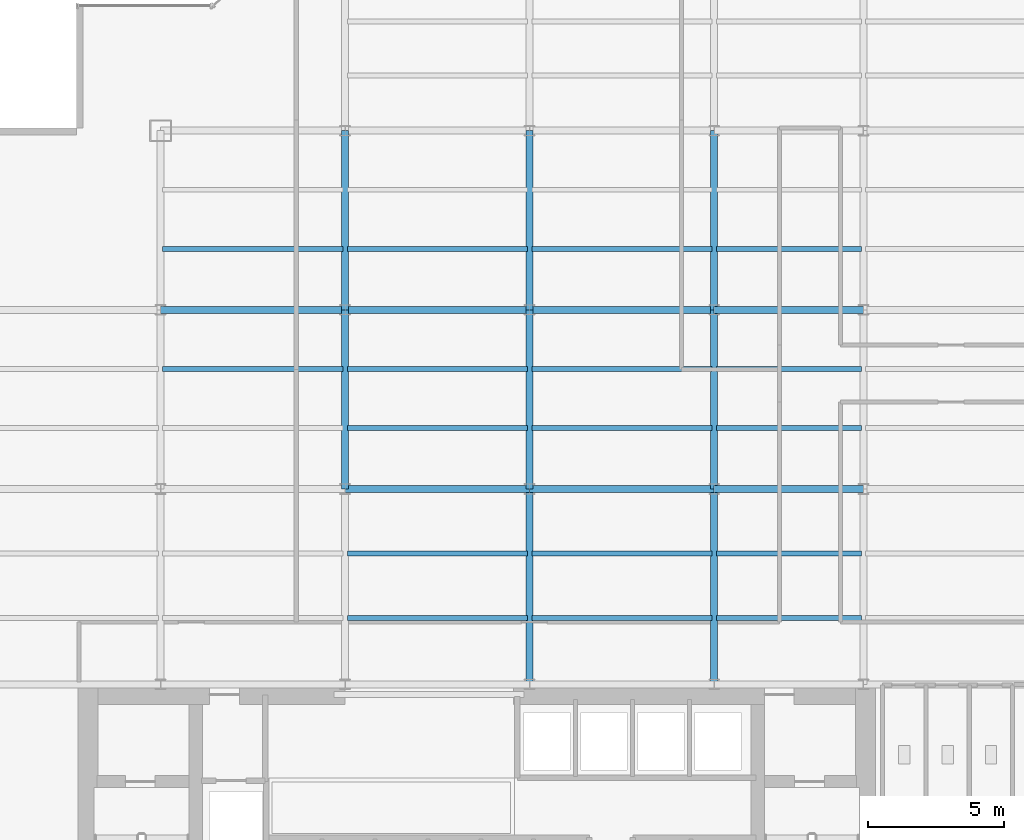
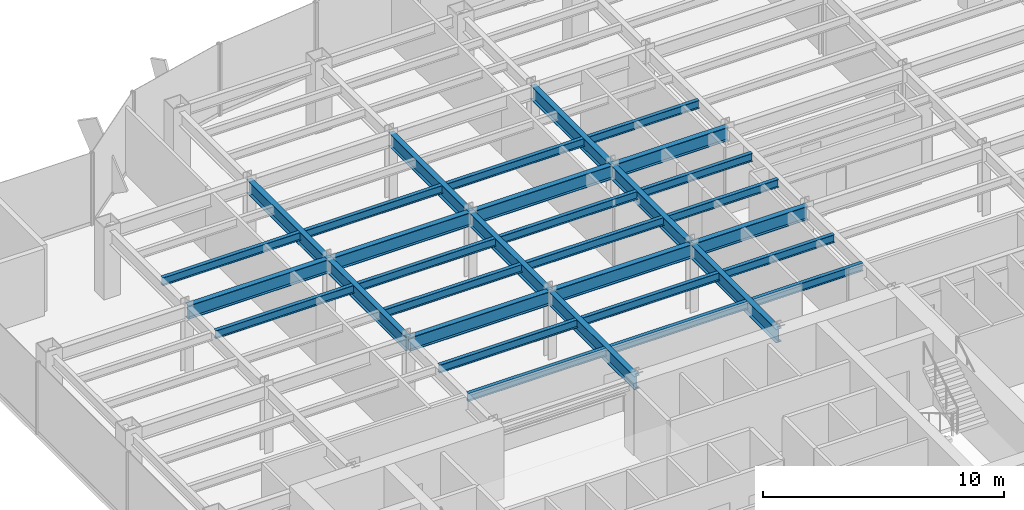
# One storey, part 7 of 26: 32 beams.
"""IFC4 building model written with IfcOpenShell, lengths in metres."""

from ifc_helpers import new_model, si_unit, derived_unit, direction, frame, origin, origin_2d, place, context, subcontext, project, spatial, i_section, extrude, source, transform, mapped, material, material_profile, profile_set, type_object, element, save


model = new_model("IFC4")

# Units and contexts
model_context = context("Model", 3, precision=1e-05, world=origin(), true_north=direction((0.0, 1.0)))
body_context = subcontext(model_context, "Body", "Model", "MODEL_VIEW")
ifc_project = project(units=[si_unit("LENGTHUNIT", "METRE"), si_unit("AREAUNIT", "SQUARE_METRE"), si_unit("VOLUMEUNIT", "CUBIC_METRE"), si_unit("PLANEANGLEUNIT", "RADIAN"), si_unit("MASSUNIT", "GRAM", prefix="KILO"), derived_unit("THERMALTRANSMITTANCEUNIT", [(si_unit("POWERUNIT", "WATT"), 1), (si_unit("LENGTHUNIT", "METRE"), -2), (si_unit("THERMODYNAMICTEMPERATUREUNIT", "KELVIN"), -1)])], contexts=[model_context])

# Site, building, storey
site_placement = place(None, origin())
site = spatial("IfcSite", under=ifc_project, at=site_placement, CompositionType="ELEMENT")
building_placement = place(site_placement, origin())
building = spatial("IfcBuilding", under=site, at=building_placement, Name="Skarnbrae Concourse Arena and Tower", CompositionType="ELEMENT")
storey_placement = place(building_placement, frame((0.0, 0.0, 117.85009765625)))
storey = spatial("IfcBuildingStorey", under=building, at=storey_placement, Name="L29", CompositionType="ELEMENT", Elevation=117.85009765625)

# Beams
ifc_material = material(Name="Steel CSA G40.21 350W", Category="steel")
ifc_material_profile_1 = material_profile(ifc_material, i_section(OverallWidth=0.256103515625, OverallDepth=0.693115234375, WebThickness=0.014404296875, FlangeThickness=0.023681640625, at=origin_2d()), Name="W690X170")
ifc_profile_set_1 = profile_set([ifc_material_profile_1], Name="Steel CSA G40.21 350W")
beam_type_1 = type_object("IfcBeamType", Name="BM-GIRD-W690X170", PredefinedType="BEAM", material=ifc_profile_set_1)
shared_shape_1 = source(origin(), body_context, "Body", "SweptSolid", [
    extrude(i_section(OverallWidth=0.256103515625, OverallDepth=0.693115234375, WebThickness=0.014404296875, FlangeThickness=0.023681640625, at=origin_2d()), origin(), (0.0, 0.0, 1.0), 6.60009765625),
])
for number, where, z_axis, x_axis, name in (
    (1, (14.39990234375, 21.199951171875, 3.053466796875), (0.0, 1.0, 0.0), (-1.0, 0.0, 0.0), "L29 Primary N-S girder X14.4-2"),
    (2, (21.199951171875, 21.199951171875, 3.053466796875), (0.0, 1.0, 0.0), (-1.0, 0.0, 0.0), "L29 Primary N-S girder X21.2-2"),
    (3, (28.0, 21.199951171875, 3.053466796875), (0.0, 1.0, 0.0), (-1.0, 0.0, 0.0), "L29 Primary N-S girder X28.0-2"),
):
    element("IfcBeam", number, at=place(storey_placement, frame(where, z_axis=z_axis, x_axis=x_axis)), inside=storey, type_object=beam_type_1, Name=name, PredefinedType="BEAM", context=body_context, shape_type="MappedRepresentation", body=[
        mapped(shared_shape_1, transform((0.0, 0.0, 0.0))),
    ])
shared_shape_2 = source(origin(), body_context, "Body", "SweptSolid", [
    extrude(i_section(OverallWidth=0.256103515625, OverallDepth=0.693115234375, WebThickness=0.014404296875, FlangeThickness=0.023681640625, at=origin_2d()), origin(), (0.0, 0.0, 1.0), 6.7998046875),
])
beam_placement = place(storey_placement, frame((7.60009765625, 27.800048828125, 3.053466796875), z_axis=(1.0, 0.0, 0.0), x_axis=(0.0, 1.0, 0.0)))
element("IfcBeam", 4, at=beam_placement, inside=storey, type_object=beam_type_1, Name="L29 Primary E-W girder Y27.8-2", PredefinedType="BEAM", context=body_context, shape_type="MappedRepresentation", body=[
    mapped(shared_shape_2, transform((0.0, 0.0, 0.0))),
])
shared_shape_3 = source(origin(), body_context, "Body", "SweptSolid", [
    extrude(i_section(OverallWidth=0.256103515625, OverallDepth=0.693115234375, WebThickness=0.014404296875, FlangeThickness=0.023681640625, at=origin_2d()), origin(), (0.0, 0.0, 1.0), 6.800048828125),
])
for number, where, z_axis, x_axis, name in (
    (5, (14.39990234375, 21.199951171875, 3.053466796875), (1.0, 0.0, 0.0), (0.0, 1.0, 0.0), "L29 Primary E-W girder Y21.2-3"),
    (6, (21.199951171875, 21.199951171875, 3.053466796875), (1.0, 0.0, 0.0), (0.0, 1.0, 0.0), "L29 Primary E-W girder Y21.2-4"),
    (7, (14.39990234375, 27.800048828125, 3.053466796875), (1.0, 0.0, 0.0), (0.0, 1.0, 0.0), "L29 Primary E-W girder Y27.8-3"),
    (8, (21.199951171875, 27.800048828125, 3.053466796875), (1.0, 0.0, 0.0), (0.0, 1.0, 0.0), "L29 Primary E-W girder Y27.8-4"),
):
    element("IfcBeam", number, at=place(storey_placement, frame(where, z_axis=z_axis, x_axis=x_axis)), inside=storey, type_object=beam_type_1, Name=name, PredefinedType="BEAM", context=body_context, shape_type="MappedRepresentation", body=[
        mapped(shared_shape_3, transform((0.0, 0.0, 0.0))),
    ])
shared_shape_4 = source(origin(), body_context, "Body", "SweptSolid", [
    extrude(i_section(OverallWidth=0.256103515625, OverallDepth=0.693115234375, WebThickness=0.014404296875, FlangeThickness=0.023681640625, at=origin_2d()), origin(), (0.0, 0.0, 1.0), 5.5),
])
for number, where, z_axis, x_axis, name in (
    (9, (28.0, 21.199951171875, 3.053466796875), (1.0, 0.0, 0.0), (0.0, 1.0, 0.0), "L29 Primary E-W girder Y21.2-5"),
    (10, (28.0, 27.800048828125, 3.053466796875), (1.0, 0.0, 0.0), (0.0, 1.0, 0.0), "L29 Primary E-W girder Y27.8-5"),
):
    element("IfcBeam", number, at=place(storey_placement, frame(where, z_axis=z_axis, x_axis=x_axis)), inside=storey, type_object=beam_type_1, Name=name, PredefinedType="BEAM", context=body_context, shape_type="MappedRepresentation", body=[
        mapped(shared_shape_4, transform((0.0, 0.0, 0.0))),
    ])
shared_shape_5 = source(origin(), body_context, "Body", "SweptSolid", [
    extrude(i_section(OverallWidth=0.256103515625, OverallDepth=0.693115234375, WebThickness=0.014404296875, FlangeThickness=0.023681640625, at=origin_2d()), origin(), (0.0, 0.0, 1.0), 7.199951171875),
])
for number, where, z_axis, x_axis, name in (
    (11, (21.199951171875, 14.0, 3.053466796875), (0.0, 1.0, 0.0), (-1.0, 0.0, 0.0), "L29 Primary N-S girder X21.2-1"),
    (12, (28.0, 14.0, 3.053466796875), (0.0, 1.0, 0.0), (-1.0, 0.0, 0.0), "L29 Primary N-S girder X28.0-1"),
):
    element("IfcBeam", number, at=place(storey_placement, frame(where, z_axis=z_axis, x_axis=x_axis)), inside=storey, type_object=beam_type_1, Name=name, PredefinedType="BEAM", context=body_context, shape_type="MappedRepresentation", body=[
        mapped(shared_shape_5, transform((0.0, 0.0, 0.0))),
    ])
shared_shape_6 = source(origin(), body_context, "Body", "SweptSolid", [
    extrude(i_section(OverallWidth=0.256103515625, OverallDepth=0.693115234375, WebThickness=0.014404296875, FlangeThickness=0.023681640625, at=origin_2d()), origin(), (0.0, 0.0, 1.0), 6.599853515625),
])
for number, where, z_axis, x_axis, name in (
    (13, (14.39990234375, 27.800048828125, 3.053466796875), (0.0, 1.0, 0.0), (-1.0, 0.0, 0.0), "L29 Primary N-S girder X14.4-3"),
    (14, (21.199951171875, 27.800048828125, 3.053466796875), (0.0, 1.0, 0.0), (-1.0, 0.0, 0.0), "L29 Primary N-S girder X21.2-3"),
    (15, (28.0, 27.800048828125, 3.053466796875), (0.0, 1.0, 0.0), (-1.0, 0.0, 0.0), "L29 Primary N-S girder X28.0-3"),
):
    element("IfcBeam", number, at=place(storey_placement, frame(where, z_axis=z_axis, x_axis=x_axis)), inside=storey, type_object=beam_type_1, Name=name, PredefinedType="BEAM", context=body_context, shape_type="MappedRepresentation", body=[
        mapped(shared_shape_6, transform((0.0, 0.0, 0.0))),
    ])
ifc_material_profile_2 = material_profile(ifc_material, i_section(OverallWidth=0.177978515625, OverallDepth=0.406982421875, WebThickness=0.0078125, FlangeThickness=0.0126953125, at=origin_2d()), Name="W410X60")
ifc_profile_set_2 = profile_set([ifc_material_profile_2], Name="Steel CSA G40.21 350W")
beam_type_2 = type_object("IfcBeamType", Name="BM-JOIST-W410X60", PredefinedType="JOIST", material=ifc_profile_set_2)
shared_shape_7 = source(origin(), body_context, "Body", "SweptSolid", [
    extrude(i_section(OverallWidth=0.177978515625, OverallDepth=0.406982421875, WebThickness=0.0078125, FlangeThickness=0.0126953125, at=origin_2d()), origin(), (0.0, 0.0, 1.0), 6.64013671875),
])
for number, where, z_axis, x_axis, name in (
    (16, (14.47998046875, 16.447998046875, 3.1962890625), (1.0, 0.0, 0.0), (0.0, 1.0, 0.0), "L29 Secondary floor joist 1.1.3"),
    (17, (14.47998046875, 18.823974609375, 3.1962890625), (1.0, 0.0, 0.0), (0.0, 1.0, 0.0), "L29 Secondary floor joist 1.2.3"),
    (18, (14.47998046875, 23.444091796875, 3.1962890625), (1.0, 0.0, 0.0), (0.0, 1.0, 0.0), "L29 Secondary floor joist 2.1.3"),
    (19, (7.679931640625, 25.6220703125, 3.1962890625), (1.0, 0.0, 0.0), (0.0, 1.0, 0.0), "L29 Secondary floor joist 2.2.2"),
    (20, (14.47998046875, 25.6220703125, 3.1962890625), (1.0, 0.0, 0.0), (0.0, 1.0, 0.0), "L29 Secondary floor joist 2.2.3"),
    (21, (7.679931640625, 30.0439453125, 3.1962890625), (1.0, 0.0, 0.0), (0.0, 1.0, 0.0), "L29 Secondary floor joist 3.1.1"),
    (22, (14.47998046875, 30.0439453125, 3.1962890625), (1.0, 0.0, 0.0), (0.0, 1.0, 0.0), "L29 Secondary floor joist 3.1.2"),
):
    element("IfcBeam", number, at=place(storey_placement, frame(where, z_axis=z_axis, x_axis=x_axis)), inside=storey, type_object=beam_type_2, Name=name, PredefinedType="JOIST", context=body_context, shape_type="MappedRepresentation", body=[
        mapped(shared_shape_7, transform((0.0, 0.0, 0.0))),
    ])
shared_shape_8 = source(origin(), body_context, "Body", "SweptSolid", [
    extrude(i_section(OverallWidth=0.177978515625, OverallDepth=0.406982421875, WebThickness=0.0078125, FlangeThickness=0.0126953125, at=origin_2d()), origin(), (0.0, 0.0, 1.0), 6.639892578125),
])
for number, where, z_axis, x_axis, name in (
    (23, (21.280029296875, 16.447998046875, 3.1962890625), (1.0, 0.0, 0.0), (0.0, 1.0, 0.0), "L29 Secondary floor joist 1.1.4"),
    (24, (21.280029296875, 18.823974609375, 3.1962890625), (1.0, 0.0, 0.0), (0.0, 1.0, 0.0), "L29 Secondary floor joist 1.2.4"),
    (25, (21.280029296875, 23.444091796875, 3.1962890625), (1.0, 0.0, 0.0), (0.0, 1.0, 0.0), "L29 Secondary floor joist 2.1.4"),
    (26, (21.280029296875, 25.6220703125, 3.1962890625), (1.0, 0.0, 0.0), (0.0, 1.0, 0.0), "L29 Secondary floor joist 2.2.4"),
    (27, (21.280029296875, 30.0439453125, 3.1962890625), (1.0, 0.0, 0.0), (0.0, 1.0, 0.0), "L29 Secondary floor joist 3.1.3"),
):
    element("IfcBeam", number, at=place(storey_placement, frame(where, z_axis=z_axis, x_axis=x_axis)), inside=storey, type_object=beam_type_2, Name=name, PredefinedType="JOIST", context=body_context, shape_type="MappedRepresentation", body=[
        mapped(shared_shape_8, transform((0.0, 0.0, 0.0))),
    ])
shared_shape_9 = source(origin(), body_context, "Body", "SweptSolid", [
    extrude(i_section(OverallWidth=0.177978515625, OverallDepth=0.406982421875, WebThickness=0.0078125, FlangeThickness=0.0126953125, at=origin_2d()), origin(), (0.0, 0.0, 1.0), 5.33984375),
])
for number, where, z_axis, x_axis, name in (
    (28, (28.080078125, 16.447998046875, 3.1962890625), (1.0, 0.0, 0.0), (0.0, 1.0, 0.0), "L29 Secondary floor joist 1.1.5"),
    (29, (28.080078125, 18.823974609375, 3.1962890625), (1.0, 0.0, 0.0), (0.0, 1.0, 0.0), "L29 Secondary floor joist 1.2.5"),
    (30, (28.080078125, 23.444091796875, 3.1962890625), (1.0, 0.0, 0.0), (0.0, 1.0, 0.0), "L29 Secondary floor joist 2.1.5"),
    (31, (28.080078125, 25.6220703125, 3.1962890625), (1.0, 0.0, 0.0), (0.0, 1.0, 0.0), "L29 Secondary floor joist 2.2.5"),
    (32, (28.080078125, 30.0439453125, 3.1962890625), (1.0, 0.0, 0.0), (0.0, 1.0, 0.0), "L29 Secondary floor joist 3.1.4"),
):
    element("IfcBeam", number, at=place(storey_placement, frame(where, z_axis=z_axis, x_axis=x_axis)), inside=storey, type_object=beam_type_2, Name=name, PredefinedType="JOIST", context=body_context, shape_type="MappedRepresentation", body=[
        mapped(shared_shape_9, transform((0.0, 0.0, 0.0))),
    ])

save(model, "model.ifc")
